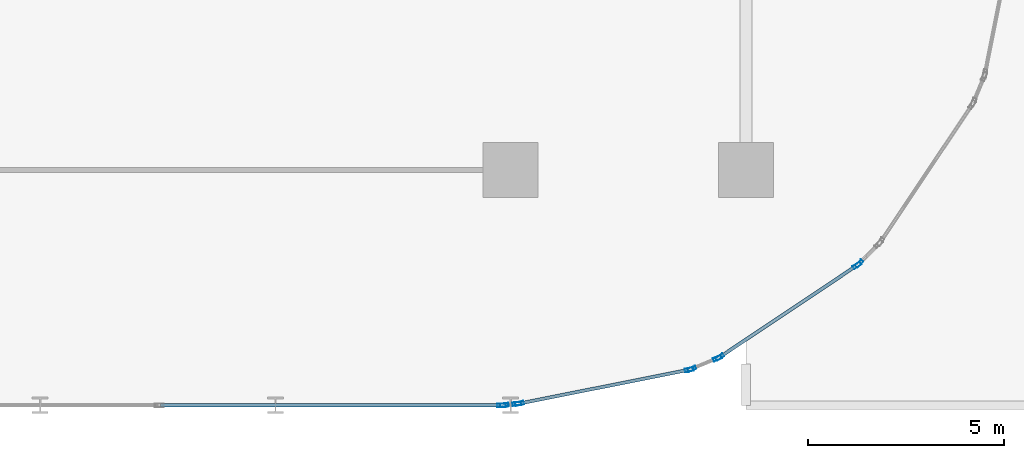
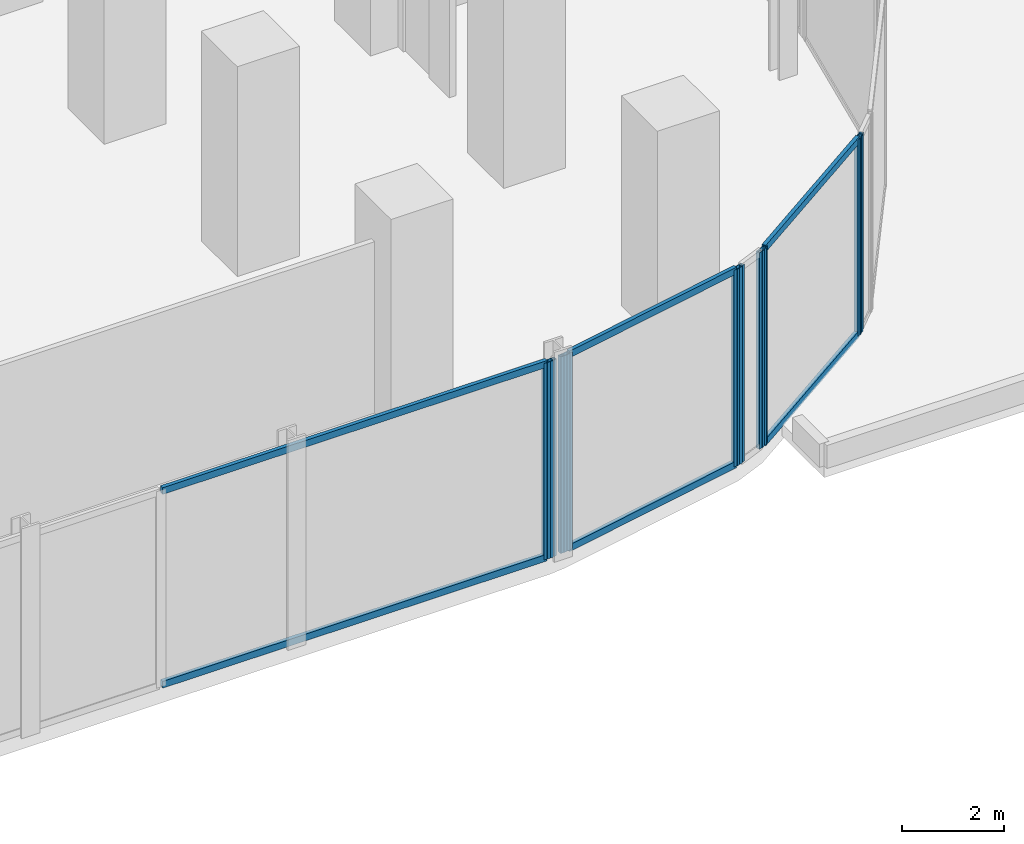
# One storey, part 7 of 29: 16 members, 6 elements without a shape of their own.
"""IFC4 building model written with IfcOpenShell, lengths in metres."""

import ifcopenshell
import ifcopenshell.guid

model = None  # the IFC model being written
_history = None  # IfcOwnerHistory: only IFC2X3 demands one
_inside = {}  # id of a spatial element -> (the spatial element, [elements in it])
_under = {}  # id of a project, library or spatial element -> (it, [spatial elements below it])
_declared = {}  # id of a project -> (the project, [libraries it declares])
_typed = {}  # id of a type object -> (the type object, [elements of that type])
_made_of = {}  # id of a material, layer set ... -> (it, [elements and type objects made of it])


def new_model(schema):
    """Start an empty IFC model of exactly this schema.

    Asked for "IFC4X3", IfcOpenShell would pick the latest addendum, in which some entities
    have other attributes; the version numbers below select the first issue.
    IFC2X3 requires an IfcOwnerHistory on every rooted entity: one is made here for all.
    """
    global model, _history
    if schema == "IFC4X3":
        model = ifcopenshell.file(schema_version=(4, 3, 0, 0))
    else:
        model = ifcopenshell.file(schema=schema)
    _inside.clear()
    _under.clear()
    _declared.clear()
    _typed.clear()
    _made_of.clear()
    _history = None
    if model.schema == "IFC2X3":
        org = make("IfcOrganization", Name="unknown")
        user = make(
            "IfcPersonAndOrganization",
            ThePerson=make("IfcPerson", FamilyName="unknown"),
            TheOrganization=org,
        )
        app = make(
            "IfcApplication",
            ApplicationDeveloper=org,
            Version="unknown",
            ApplicationFullName="unknown",
            ApplicationIdentifier="unknown",
        )
        _history = make(
            "IfcOwnerHistory",
            OwningUser=user,
            OwningApplication=app,
            ChangeAction="ADDED",
            CreationDate=0,
        )
    return model


def make(cls, **values):
    """One entity of the class cls with the attributes given. An attribute that is None is left unset."""
    return model.create_entity(
        cls, **{name: value for name, value in values.items() if value is not None}
    )


def rooted(cls, **values):
    """An entity with a GlobalId (a new one), such as an element, a storey or a relation."""
    return make(cls, GlobalId=ifcopenshell.guid.new(), OwnerHistory=_history, **values)


def si_unit(unit_type, name, prefix=None):
    """IfcSIUnit, for example si_unit("LENGTHUNIT", "METRE", prefix="MILLI")."""
    return make("IfcSIUnit", UnitType=unit_type, Prefix=prefix, Name=name)


def assignment(units):
    """IfcUnitAssignment: the units of a project."""
    return None if units is None else make("IfcUnitAssignment", Units=units)


def point(xyz):
    """IfcCartesianPoint."""
    return None if xyz is None else make("IfcCartesianPoint", Coordinates=xyz)


def direction(xyz):
    """IfcDirection."""
    return None if xyz is None else make("IfcDirection", DirectionRatios=xyz)


def frame(location, z_axis=None, x_axis=None):
    """IfcAxis2Placement3D, a coordinate frame: its origin and axes. An axis left out is left unset."""
    return make(
        "IfcAxis2Placement3D",
        Location=point(location),
        Axis=direction(z_axis),
        RefDirection=direction(x_axis),
    )


def frame_2d(location, x_axis=None):
    """IfcAxis2Placement2D, a coordinate frame in the plane: its origin and x axis."""
    return make(
        "IfcAxis2Placement2D", Location=point(location), RefDirection=direction(x_axis)
    )


def origin():
    """The frame at (0, 0, 0) with its axes left unset."""
    return frame((0.0, 0.0, 0.0))


def origin_2d():
    """The frame at (0, 0) in the plane with its x axis left unset."""
    return frame_2d((0.0, 0.0))


def place(relative_to, where):
    """IfcLocalPlacement: puts the frame where relative to a parent placement (None: the world)."""
    return make(
        "IfcLocalPlacement", PlacementRelTo=relative_to, RelativePlacement=where
    )


def context(
    kind, dimensions, precision=None, world=None, true_north=None, identifier=None
):
    """IfcGeometricRepresentationContext, for example the 3D "Model" context."""
    return make(
        "IfcGeometricRepresentationContext",
        ContextIdentifier=identifier,
        ContextType=kind,
        CoordinateSpaceDimension=dimensions,
        Precision=precision,
        WorldCoordinateSystem=world,
        TrueNorth=true_north,
    )


def subcontext(parent, identifier, kind, view, scale=None):
    """IfcGeometricRepresentationSubContext, for example "Body" below "Model"."""
    return make(
        "IfcGeometricRepresentationSubContext",
        ContextIdentifier=identifier,
        ContextType=kind,
        ParentContext=parent,
        TargetScale=scale,
        TargetView=view,
    )


def project(units=None, contexts=None):
    """IfcProject with its units and contexts."""
    return rooted(
        "IfcProject",
        Name="project",
        RepresentationContexts=contexts,
        UnitsInContext=assignment(units),
    )


def spatial(cls, under=None, at=None, **own):
    """A site, building, storey or space (cls), placed at a placement, below another one or the project."""
    s = rooted(cls, ObjectPlacement=at, **own)
    if under is not None:
        _under.setdefault(under.id(), (under, []))[1].append(s)
    return s


def profile(cls, at=None, kind="AREA", **sizes):
    """A parametric profile (cls). Its sizes go by their IFC names, for example OverallWidth=200.0."""
    return make(cls, ProfileType=kind, Position=at, **sizes)


def hollow_rectangle(**sizes):
    """IfcRectangleHollowProfileDef."""
    return profile("IfcRectangleHollowProfileDef", **sizes)


def extrude(swept, where, along, depth):
    """IfcExtrudedAreaSolid: the profile swept, set in the frame where, extruded along a direction by depth."""
    return make(
        "IfcExtrudedAreaSolid",
        SweptArea=swept,
        Position=where,
        ExtrudedDirection=direction(along),
        Depth=depth,
    )


def shape(context_of_items, identifier, shape_type, items):
    """IfcShapeRepresentation: the items that make up one representation, for example the "Body"."""
    return make(
        "IfcShapeRepresentation",
        ContextOfItems=context_of_items,
        RepresentationIdentifier=identifier,
        RepresentationType=shape_type,
        Items=items,
    )


def material(Name=None, Category=None):
    """IfcMaterial."""
    return make("IfcMaterial", Name=Name, Category=Category)


def layer(
    of_material, thickness, ventilated=None, Name=None, Category=None, Priority=None
):
    """IfcMaterialLayer: one layer of a wall or slab, of a material (None: an air gap)."""
    return make(
        "IfcMaterialLayer",
        Material=of_material,
        LayerThickness=thickness,
        IsVentilated=ventilated,
        Name=Name,
        Category=Category,
        Priority=Priority,
    )


def layer_set(layers, Name=None):
    """IfcMaterialLayerSet."""
    return make("IfcMaterialLayerSet", MaterialLayers=layers, LayerSetName=Name)


def material_profile(
    of_material, cross_section, Name=None, Category=None, Priority=None
):
    """IfcMaterialProfile: a cross section and its material."""
    return make(
        "IfcMaterialProfile",
        Name=Name,
        Material=of_material,
        Profile=cross_section,
        Priority=Priority,
        Category=Category,
    )


def profile_set(profiles, Name=None, composite=None):
    """IfcMaterialProfileSet."""
    return make(
        "IfcMaterialProfileSet",
        Name=Name,
        MaterialProfiles=profiles,
        CompositeProfile=composite,
    )


def made_of(thing, what):
    """Note that an element or type object is made of a material, layer set ...; save() writes the relation."""
    if what is not None:
        _made_of.setdefault(what.id(), (what, []))[1].append(thing)
    return thing


def type_object(cls, material=None, **own):
    """A type object (cls), such as IfcWallType, which elements share."""
    return made_of(rooted(cls, **own), material)


def element(
    cls,
    number,
    at=None,
    inside=None,
    cuts=None,
    type_object=None,
    material=None,
    context=None,
    identifier="Body",
    shape_type=None,
    held_by="IfcProductDefinitionShape",
    body=None,
    shapes=None,
    **own,
):
    """One element of the class cls, such as IfcWall. Its Tag is "e" and its number.

    at: its placement. inside: the storey or other place that contains it. cuts: it is an
    opening in that element (IfcRelVoidsElement). A single representation is given by context,
    identifier, shape_type and body (its items); several are given by shapes. held_by: the class
    of the entity that holds the representations. save() writes the other relations.
    """
    e = rooted(cls, Tag="e%d" % number, ObjectPlacement=at, **own)
    if body is not None:
        shapes = [shape(context, identifier, shape_type, body)]
    if shapes is not None:
        e.Representation = make(held_by, Representations=shapes)
    if inside is not None:
        _inside.setdefault(inside.id(), (inside, []))[1].append(e)
    if cuts is not None:
        rooted(
            "IfcRelVoidsElement", RelatingBuildingElement=cuts, RelatedOpeningElement=e
        )
    if type_object is not None:
        _typed.setdefault(type_object.id(), (type_object, []))[1].append(e)
    return made_of(e, material)


def aggregate(whole, parts):
    """IfcRelAggregates: a whole, such as a stair, and the parts it consists of."""
    return rooted("IfcRelAggregates", RelatingObject=whole, RelatedObjects=parts)


def save(model, path):
    """Write the relations noted so far, then the file.

    IfcRelAggregates (storeys below a building ...), IfcRelContainedInSpatialStructure (elements
    in a storey), IfcRelDefinesByType, IfcRelAssociatesMaterial and IfcRelDeclares: one each for
    every whole, place, type object, material and project.
    """
    for whole, parts in _under.values():
        aggregate(whole, parts)
    for where, things in _inside.values():
        rooted(
            "IfcRelContainedInSpatialStructure",
            RelatedElements=things,
            RelatingStructure=where,
        )
    for kind, things in _typed.values():
        rooted("IfcRelDefinesByType", RelatedObjects=things, RelatingType=kind)
    for what, things in _made_of.values():
        rooted("IfcRelAssociatesMaterial", RelatedObjects=things, RelatingMaterial=what)
    for by, libraries in _declared.values():
        rooted("IfcRelDeclares", RelatingContext=by, RelatedDefinitions=libraries)
    model.write(path)


model = new_model("IFC4")

# Units and contexts
model_context = context("Model", 3, precision=1e-05, world=origin(), true_north=direction((0.0, 1.0)))
body_context = subcontext(model_context, "Body", "Model", "MODEL_VIEW")
ifc_project = project(units=[si_unit("LENGTHUNIT", "METRE"), si_unit("AREAUNIT", "SQUARE_METRE"), si_unit("VOLUMEUNIT", "CUBIC_METRE"), si_unit("PLANEANGLEUNIT", "RADIAN"), si_unit("MASSUNIT", "GRAM", prefix="KILO")], contexts=[model_context])

# Site, building, storey
site_placement = place(None, origin())
site = spatial("IfcSite", under=ifc_project, at=site_placement, CompositionType="ELEMENT")
building_placement = place(site_placement, origin())
building = spatial("IfcBuilding", under=site, at=building_placement, Name="Keshet Zoharim Tower", CompositionType="ELEMENT")
storey_placement = place(building_placement, frame((0.0, 0.0, 19.0)))
storey = spatial("IfcBuildingStorey", under=building, at=storey_placement, Name="L03", CompositionType="ELEMENT", Elevation=19.0)

# Curtain wall, member
ifc_material = material(Name="Aluminium 6063-T6", Category="aluminium")
ifc_layer = layer(ifc_material, 0.179931640625)
ifc_layer_set = layer_set([ifc_layer], Name="Aluminium 6063-T6")
curtain_wall_type = type_object("IfcCurtainWallType", Name="CW-SYS-01", PredefinedType="NOTDEFINED", material=ifc_layer_set)
curtain_wall_1_placement = place(storey_placement, origin())
curtain_wall_1 = element("IfcCurtainWall", 1, at=curtain_wall_1_placement, inside=storey, type_object=curtain_wall_type, Name="L03 Unitised Curtain Wall 20", PredefinedType="NOTDEFINED")
ifc_material_profile_1 = material_profile(ifc_material, hollow_rectangle(XDim=0.090087890625, YDim=0.219970703125, WallThickness=0.0048828125, at=origin_2d()), Name="MUL-90x220")
ifc_profile_set_1 = profile_set([ifc_material_profile_1], Name="Aluminium 6063-T6")
member_type_1 = type_object("IfcMemberType", Name="CWM-M22", PredefinedType="MULLION", material=ifc_profile_set_1)
member_1_placement = place(storey_placement, frame((65.88671875, 4.311767578125, 0.0), z_axis=(0.0, 0.0, 1.0), x_axis=(0.707106781187, -0.707106781187, 0.0)))
member_1 = element("IfcMember", 2, at=member_1_placement, type_object=member_type_1, Name="CW-01 mullion 2", PredefinedType="MULLION", context=body_context, shape_type="SweptSolid", body=[
    extrude(hollow_rectangle(XDim=0.090087890625, YDim=0.219970703125, WallThickness=0.0048828125, at=origin_2d()), origin(), (0.0, 0.0, 1.0), 4.68505859375),
])
aggregate(curtain_wall_1, [member_1])

# Curtain wall, members
curtain_wall_2_placement = place(storey_placement, origin())
curtain_wall_2 = element("IfcCurtainWall", 3, at=curtain_wall_2_placement, inside=storey, type_object=curtain_wall_type, Name="L03 Unitised Curtain Wall 21", PredefinedType="NOTDEFINED")
member_2_placement = place(storey_placement, frame((65.8330078125, 4.267578125, 0.0), z_axis=(0.0, 0.0, 1.0), x_axis=(0.555563243758, -0.831474282335, 0.0)))
member_2 = element("IfcMember", 4, at=member_2_placement, type_object=member_type_1, Name="CW-01 mullion 1", PredefinedType="MULLION", context=body_context, shape_type="SweptSolid", body=[
    extrude(hollow_rectangle(XDim=0.090087890625, YDim=0.219970703125, WallThickness=0.0048828125, at=origin_2d()), origin(), (0.0, 0.0, 1.0), 4.68505859375),
])
member_3_placement = place(storey_placement, frame((62.335205078125, 1.930419921875, 0.0), z_axis=(0.0, 0.0, 1.0), x_axis=(0.555563243758, -0.831474282335, 0.0)))
member_3 = element("IfcMember", 5, at=member_3_placement, type_object=member_type_1, Name="CW-01 mullion 2", PredefinedType="MULLION", context=body_context, shape_type="SweptSolid", body=[
    extrude(hollow_rectangle(XDim=0.090087890625, YDim=0.219970703125, WallThickness=0.0048828125, at=origin_2d()), origin(), (0.0, 0.0, 1.0), 4.68505859375),
])

curtain_wall_3_placement = place(storey_placement, origin())
curtain_wall_3 = element("IfcCurtainWall", 6, at=curtain_wall_3_placement, inside=storey, type_object=curtain_wall_type, Name="L03 Unitised Curtain Wall 22", PredefinedType="NOTDEFINED")
member_4_placement = place(storey_placement, frame((62.273681640625, 1.897705078125, 0.0), z_axis=(0.0, 0.0, 1.0), x_axis=(0.383068349739, -0.923720000557, 0.0)))
member_4 = element("IfcMember", 7, at=member_4_placement, type_object=member_type_1, Name="CW-01 mullion 1", PredefinedType="MULLION", context=body_context, shape_type="SweptSolid", body=[
    extrude(hollow_rectangle(XDim=0.090087890625, YDim=0.219970703125, WallThickness=0.0048828125, at=origin_2d()), origin(), (0.0, 0.0, 1.0), 4.68505859375),
])
member_5_placement = place(storey_placement, frame((61.617431640625, 1.62548828125, 0.0), z_axis=(0.0, 0.0, 1.0), x_axis=(0.383068349739, -0.923720000557, 0.0)))
member_5 = element("IfcMember", 8, at=member_5_placement, type_object=member_type_1, Name="CW-01 mullion 2", PredefinedType="MULLION", context=body_context, shape_type="SweptSolid", body=[
    extrude(hollow_rectangle(XDim=0.090087890625, YDim=0.219970703125, WallThickness=0.0048828125, at=origin_2d()), origin(), (0.0, 0.0, 1.0), 4.68505859375),
])
aggregate(curtain_wall_3, [member_4, member_5])

curtain_wall_4_placement = place(storey_placement, origin())
curtain_wall_4 = element("IfcCurtainWall", 9, at=curtain_wall_4_placement, inside=storey, type_object=curtain_wall_type, Name="L03 Unitised Curtain Wall 23", PredefinedType="NOTDEFINED")
member_6_placement = place(storey_placement, frame((61.55078125, 1.605224609375, 0.0), z_axis=(0.0, 0.0, 1.0), x_axis=(0.195171279072, -0.98076917357, 0.0)))
member_6 = element("IfcMember", 10, at=member_6_placement, type_object=member_type_1, Name="CW-01 mullion 1", PredefinedType="MULLION", context=body_context, shape_type="SweptSolid", body=[
    extrude(hollow_rectangle(XDim=0.090087890625, YDim=0.219970703125, WallThickness=0.0048828125, at=origin_2d()), origin(), (0.0, 0.0, 1.0), 4.68505859375),
])
member_7_placement = place(storey_placement, frame((57.227294921875, 0.744873046875, 0.0), z_axis=(0.0, 0.0, 1.0), x_axis=(0.195171279072, -0.98076917357, 0.0)))
member_7 = element("IfcMember", 11, at=member_7_placement, type_object=member_type_1, Name="CW-01 mullion 2", PredefinedType="MULLION", context=body_context, shape_type="SweptSolid", body=[
    extrude(hollow_rectangle(XDim=0.090087890625, YDim=0.219970703125, WallThickness=0.0048828125, at=origin_2d()), origin(), (0.0, 0.0, 1.0), 4.68505859375),
])

curtain_wall_5_placement = place(storey_placement, origin())
curtain_wall_5 = element("IfcCurtainWall", 12, at=curtain_wall_5_placement, inside=storey, type_object=curtain_wall_type, Name="L03 Unitised Curtain Wall 24", PredefinedType="NOTDEFINED")
member_8_placement = place(storey_placement, frame((57.158203125, 0.734619140625, 0.0), z_axis=(0.0, 0.0, 1.0), x_axis=(0.096976648633, -0.995286657009, 0.0)))
member_8 = element("IfcMember", 13, at=member_8_placement, type_object=member_type_1, Name="CW-01 mullion 1", PredefinedType="MULLION", context=body_context, shape_type="SweptSolid", body=[
    extrude(hollow_rectangle(XDim=0.090087890625, YDim=0.219970703125, WallThickness=0.0048828125, at=origin_2d()), origin(), (0.0, 0.0, 1.0), 4.68505859375),
])
member_9_placement = place(storey_placement, frame((56.837890625, 0.703369140625, 0.0), z_axis=(0.0, 0.0, 1.0), x_axis=(0.096976648633, -0.995286657009, 0.0)))
member_9 = element("IfcMember", 14, at=member_9_placement, type_object=member_type_1, Name="CW-01 mullion 2", PredefinedType="MULLION", context=body_context, shape_type="SweptSolid", body=[
    extrude(hollow_rectangle(XDim=0.090087890625, YDim=0.219970703125, WallThickness=0.0048828125, at=origin_2d()), origin(), (0.0, 0.0, 1.0), 4.68505859375),
])
aggregate(curtain_wall_5, [member_8, member_9])

# Curtain wall, member
curtain_wall_6_placement = place(storey_placement, origin())
curtain_wall_6 = element("IfcCurtainWall", 15, at=curtain_wall_6_placement, inside=storey, type_object=curtain_wall_type, Name="L03 Unitised Curtain Wall 25", PredefinedType="NOTDEFINED")
member_10_placement = place(storey_placement, frame((56.76806640625, 0.699951171875, 0.0), z_axis=(0.0, 0.0, 1.0), x_axis=(0.0, -1.0, 0.0)))
member_10 = element("IfcMember", 16, at=member_10_placement, type_object=member_type_1, Name="CW-01 mullion 1", PredefinedType="MULLION", context=body_context, shape_type="SweptSolid", body=[
    extrude(hollow_rectangle(XDim=0.090087890625, YDim=0.219970703125, WallThickness=0.0048828125, at=origin_2d()), origin(), (0.0, 0.0, 1.0), 4.68505859375),
])

# Member
ifc_material_profile_2 = material_profile(ifc_material, hollow_rectangle(XDim=0.0849609375, YDim=0.159912109375, WallThickness=0.00439453125, at=origin_2d()), Name="TRN-85x160")
ifc_profile_set_2 = profile_set([ifc_material_profile_2], Name="Aluminium 6063-T6")
member_type_2 = type_object("IfcMemberType", Name="CWT-T16", PredefinedType="USERDEFINED", material=ifc_profile_set_2)
member_11_placement = place(storey_placement, frame((65.8037109375, 4.248046875, 0.034912109375), z_axis=(-0.831477809106, -0.55555796544, 0.0), x_axis=(0.55555796544, -0.831477809106, 0.0)))
member_11 = element("IfcMember", 17, at=member_11_placement, type_object=member_type_2, Name="CW-01 transom 1.1", ObjectType="TRANSOM", PredefinedType="USERDEFINED", context=body_context, shape_type="SweptSolid", body=[
    extrude(hollow_rectangle(XDim=0.0849609375, YDim=0.159912109375, WallThickness=0.00439453125, at=origin_2d()), origin(), (0.0, 0.0, 1.0), 4.136474609375),
])

member_12_placement = place(storey_placement, frame((65.8037109375, 4.248046875, 4.64990234375), z_axis=(-0.831477809106, -0.55555796544, 0.0), x_axis=(0.55555796544, -0.831477809106, 0.0)))
member_12 = element("IfcMember", 18, at=member_12_placement, type_object=member_type_2, Name="CW-01 transom 1.2", ObjectType="TRANSOM", PredefinedType="USERDEFINED", context=body_context, shape_type="SweptSolid", body=[
    extrude(hollow_rectangle(XDim=0.0849609375, YDim=0.159912109375, WallThickness=0.00439453125, at=origin_2d()), origin(), (0.0, 0.0, 1.0), 4.136474609375),
])

aggregate(curtain_wall_2, [member_2, member_3, member_11, member_12])

member_13_placement = place(storey_placement, frame((61.516357421875, 1.598388671875, 0.034912109375), z_axis=(-0.980768540739, -0.195174459131, 0.0), x_axis=(0.195174459131, -0.980768540739, 0.0)))
member_13 = element("IfcMember", 19, at=member_13_placement, type_object=member_type_2, Name="CW-01 transom 1.1", ObjectType="TRANSOM", PredefinedType="USERDEFINED", context=body_context, shape_type="SweptSolid", body=[
    extrude(hollow_rectangle(XDim=0.0849609375, YDim=0.159912109375, WallThickness=0.00439453125, at=origin_2d()), origin(), (0.0, 0.0, 1.0), 4.338134765625),
])

member_14_placement = place(storey_placement, frame((61.516357421875, 1.598388671875, 4.64990234375), z_axis=(-0.980768540739, -0.195174459131, 0.0), x_axis=(0.195174459131, -0.980768540739, 0.0)))
member_14 = element("IfcMember", 20, at=member_14_placement, type_object=member_type_2, Name="CW-01 transom 1.2", ObjectType="TRANSOM", PredefinedType="USERDEFINED", context=body_context, shape_type="SweptSolid", body=[
    extrude(hollow_rectangle(XDim=0.0849609375, YDim=0.159912109375, WallThickness=0.00439453125, at=origin_2d()), origin(), (0.0, 0.0, 1.0), 4.338134765625),
])

aggregate(curtain_wall_4, [member_6, member_7, member_13, member_14])

member_15_placement = place(storey_placement, frame((56.73291015625, 0.699951171875, 0.034912109375), z_axis=(-1.0, 0.0, 0.0), x_axis=(0.0, -1.0, 0.0)))
member_15 = element("IfcMember", 21, at=member_15_placement, type_object=member_type_2, Name="CW-01 transom 1.1", ObjectType="TRANSOM", PredefinedType="USERDEFINED", context=body_context, shape_type="SweptSolid", body=[
    extrude(hollow_rectangle(XDim=0.0849609375, YDim=0.159912109375, WallThickness=0.00439453125, at=origin_2d()), origin(), (0.0, 0.0, 1.0), 8.661865234375),
])

member_16_placement = place(storey_placement, frame((56.73291015625, 0.699951171875, 4.64990234375), z_axis=(-1.0, 0.0, 0.0), x_axis=(0.0, -1.0, 0.0)))
member_16 = element("IfcMember", 22, at=member_16_placement, type_object=member_type_2, Name="CW-01 transom 1.2", ObjectType="TRANSOM", PredefinedType="USERDEFINED", context=body_context, shape_type="SweptSolid", body=[
    extrude(hollow_rectangle(XDim=0.0849609375, YDim=0.159912109375, WallThickness=0.00439453125, at=origin_2d()), origin(), (0.0, 0.0, 1.0), 8.661865234375),
])

aggregate(curtain_wall_6, [member_10, member_15, member_16])

save(model, "model.ifc")
